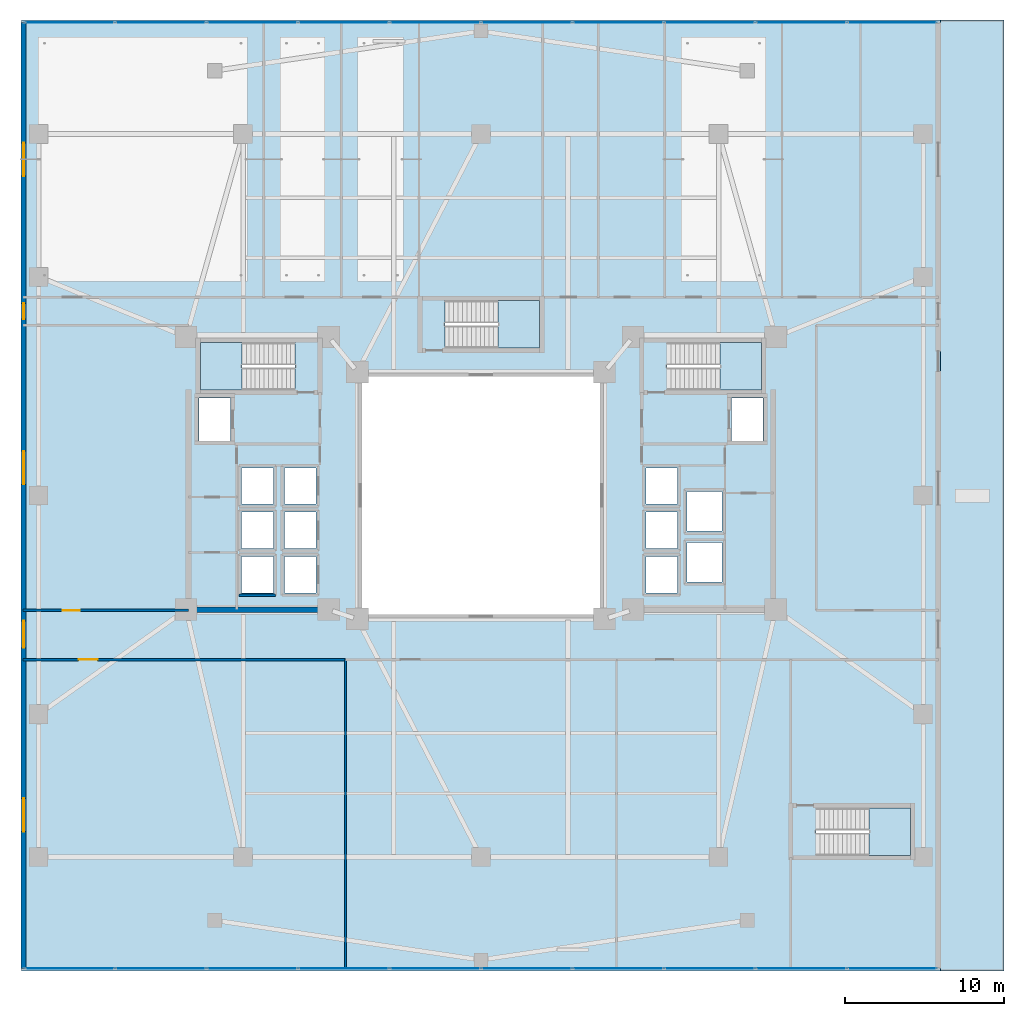
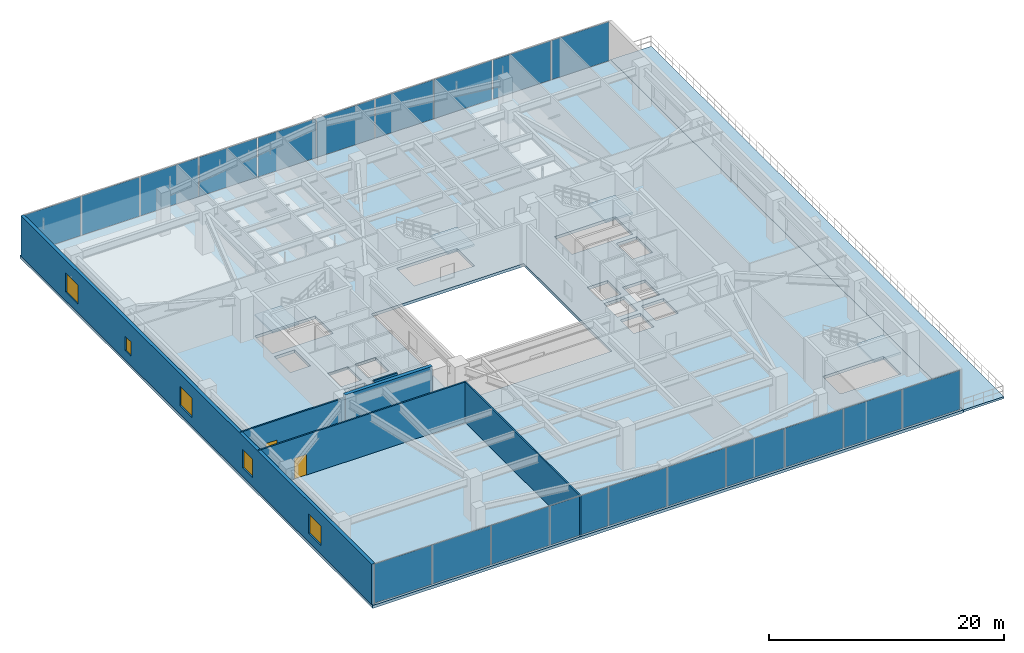
# One storey, part 16 of 27: 20 plates, 6 slabs, 6 walls, 5 windows, 2 doors, 7 openings, 6 elements without a shape of their own.
"""IFC4 building model written with IfcOpenShell, lengths in metres."""

from ifc_helpers import new_model, si_unit, direction, frame, frame_2d, origin, origin_2d, place, context, subcontext, project, spatial, polyline, rectangle, outline, extrude, material, layer, layer_set, type_object, element, fill, aggregate, save


model = new_model("IFC4")

# Units and contexts
model_context = context("Model", 3, precision=1e-05, world=origin(), true_north=direction((0.0, 1.0)))
body_context = subcontext(model_context, "Body", "Model", "MODEL_VIEW")
ifc_project = project(units=[si_unit("LENGTHUNIT", "METRE"), si_unit("AREAUNIT", "SQUARE_METRE"), si_unit("VOLUMEUNIT", "CUBIC_METRE"), si_unit("PLANEANGLEUNIT", "RADIAN"), si_unit("MASSUNIT", "GRAM", prefix="KILO")], contexts=[model_context])

# Site, building, storey
site_placement = place(None, origin())
site = spatial("IfcSite", under=ifc_project, at=site_placement, CompositionType="ELEMENT")
building_placement = place(site_placement, origin())
building = spatial("IfcBuilding", under=site, at=building_placement, Name="Tarnavaz Court Tower", CompositionType="ELEMENT")
storey_placement = place(building_placement, frame((0.0, 0.0, 9.89990234375)))
storey = spatial("IfcBuildingStorey", under=building, at=storey_placement, Name="L02", CompositionType="ELEMENT", Elevation=9.89990234375)

# Curtain wall, plates
ifc_material_1 = material(Name="Anodised Aluminium 6063-T6 and Solar Low-E Glazing", Category="aluminium")
ifc_layer_1 = layer(ifc_material_1, 0.18994140625)
ifc_layer_set_1 = layer_set([ifc_layer_1], Name="Anodised Aluminium 6063-T6 and Solar Low-E Glazing")
curtain_wall_type = type_object("IfcCurtainWallType", Name="CW-SYS-01", PredefinedType="NOTDEFINED", material=ifc_layer_set_1)
curtain_wall_1_placement = place(storey_placement, origin())
curtain_wall_1 = element("IfcCurtainWall", 1, at=curtain_wall_1_placement, inside=storey, type_object=curtain_wall_type, Name="L02 Clinic Podium Curtain Wall 1", PredefinedType="NOTDEFINED")
ifc_material_2 = material(Name="Double-Glazed Solar Low-E Glass", Category="glass")
ifc_layer_2 = layer(ifc_material_2, 0.028076171875)
ifc_layer_set_2 = layer_set([ifc_layer_2], Name="Double-Glazed Solar Low-E Glass")
plate_type = type_object("IfcPlateType", Name="CW-PAN-GLZ28", PredefinedType="CURTAIN_PANEL", material=ifc_layer_set_2)
plate_1_placement = place(storey_placement, frame((-25.94384765625, 29.85009765625, 0.06494140625), z_axis=(0.0, 0.0, 1.0), x_axis=(1.0, 0.0, 0.0)))
plate_1 = element("IfcPlate", 2, at=plate_1_placement, type_object=plate_type, Name="CW panel 1.1", PredefinedType="CURTAIN_PANEL", context=body_context, shape_type="SweptSolid", body=[
    extrude(rectangle(XDim=5.642578125, YDim=0.028076171875, at=origin_2d()), origin(), (0.0, 0.0, 1.0), 4.070068359375),
])
plate_2_placement = place(storey_placement, frame((-20.195068359375, 29.85009765625, 0.06494140625), z_axis=(0.0, 0.0, 1.0), x_axis=(1.0, 0.0, 0.0)))
plate_2 = element("IfcPlate", 3, at=plate_2_placement, type_object=plate_type, Name="CW panel 2.1", PredefinedType="CURTAIN_PANEL", context=body_context, shape_type="SweptSolid", body=[
    extrude(rectangle(XDim=5.68505859375, YDim=0.028076171875, at=origin_2d()), origin(), (0.0, 0.0, 1.0), 4.070068359375),
])
plate_3_placement = place(storey_placement, frame((-14.425048828125, 29.85009765625, 0.06494140625), z_axis=(0.0, 0.0, 1.0), x_axis=(1.0, 0.0, 0.0)))
plate_3 = element("IfcPlate", 4, at=plate_3_placement, type_object=plate_type, Name="CW panel 3.1", PredefinedType="CURTAIN_PANEL", context=body_context, shape_type="SweptSolid", body=[
    extrude(rectangle(XDim=5.68505859375, YDim=0.028076171875, at=origin_2d()), origin(), (0.0, 0.0, 1.0), 4.070068359375),
])
plate_4_placement = place(storey_placement, frame((-8.655029296875, 29.85009765625, 0.06494140625), z_axis=(0.0, 0.0, 1.0), x_axis=(1.0, 0.0, 0.0)))
plate_4 = element("IfcPlate", 5, at=plate_4_placement, type_object=plate_type, Name="CW panel 4.1", PredefinedType="CURTAIN_PANEL", context=body_context, shape_type="SweptSolid", body=[
    extrude(rectangle(XDim=5.68505859375, YDim=0.028076171875, at=origin_2d()), origin(), (0.0, 0.0, 1.0), 4.070068359375),
])
plate_5_placement = place(storey_placement, frame((-2.885009765625, 29.85009765625, 0.06494140625), z_axis=(0.0, 0.0, 1.0), x_axis=(1.0, 0.0, 0.0)))
plate_5 = element("IfcPlate", 6, at=plate_5_placement, type_object=plate_type, Name="CW panel 5.1", PredefinedType="CURTAIN_PANEL", context=body_context, shape_type="SweptSolid", body=[
    extrude(rectangle(XDim=5.68505859375, YDim=0.028076171875, at=origin_2d()), origin(), (0.0, 0.0, 1.0), 4.070068359375),
])
plate_6_placement = place(storey_placement, frame((2.885009765625, 29.85009765625, 0.06494140625), z_axis=(0.0, 0.0, 1.0), x_axis=(1.0, 0.0, 0.0)))
plate_6 = element("IfcPlate", 7, at=plate_6_placement, type_object=plate_type, Name="CW panel 6.1", PredefinedType="CURTAIN_PANEL", context=body_context, shape_type="SweptSolid", body=[
    extrude(rectangle(XDim=5.68505859375, YDim=0.028076171875, at=origin_2d()), origin(), (0.0, 0.0, 1.0), 4.070068359375),
])
plate_7_placement = place(storey_placement, frame((8.655029296875, 29.85009765625, 0.06494140625), z_axis=(0.0, 0.0, 1.0), x_axis=(1.0, 0.0, 0.0)))
plate_7 = element("IfcPlate", 8, at=plate_7_placement, type_object=plate_type, Name="CW panel 7.1", PredefinedType="CURTAIN_PANEL", context=body_context, shape_type="SweptSolid", body=[
    extrude(rectangle(XDim=5.68505859375, YDim=0.028076171875, at=origin_2d()), origin(), (0.0, 0.0, 1.0), 4.070068359375),
])
plate_8_placement = place(storey_placement, frame((14.425048828125, 29.85009765625, 0.06494140625), z_axis=(0.0, 0.0, 1.0), x_axis=(1.0, 0.0, 0.0)))
plate_8 = element("IfcPlate", 9, at=plate_8_placement, type_object=plate_type, Name="CW panel 8.1", PredefinedType="CURTAIN_PANEL", context=body_context, shape_type="SweptSolid", body=[
    extrude(rectangle(XDim=5.68505859375, YDim=0.028076171875, at=origin_2d()), origin(), (0.0, 0.0, 1.0), 4.070068359375),
])
plate_9_placement = place(storey_placement, frame((20.195068359375, 29.85009765625, 0.06494140625), z_axis=(0.0, 0.0, 1.0), x_axis=(1.0, 0.0, 0.0)))
plate_9 = element("IfcPlate", 10, at=plate_9_placement, type_object=plate_type, Name="CW panel 9.1", PredefinedType="CURTAIN_PANEL", context=body_context, shape_type="SweptSolid", body=[
    extrude(rectangle(XDim=5.68505859375, YDim=0.028076171875, at=origin_2d()), origin(), (0.0, 0.0, 1.0), 4.070068359375),
])
plate_10_placement = place(storey_placement, frame((25.94384765625, 29.85009765625, 0.06494140625), z_axis=(0.0, 0.0, 1.0), x_axis=(1.0, 0.0, 0.0)))
plate_10 = element("IfcPlate", 11, at=plate_10_placement, type_object=plate_type, Name="CW panel 10.1", PredefinedType="CURTAIN_PANEL", context=body_context, shape_type="SweptSolid", body=[
    extrude(rectangle(XDim=5.642578125, YDim=0.028076171875, at=origin_2d()), origin(), (0.0, 0.0, 1.0), 4.070068359375),
])
aggregate(curtain_wall_1, [plate_1, plate_2, plate_3, plate_4, plate_5, plate_6, plate_7, plate_8, plate_9, plate_10])

curtain_wall_2_placement = place(storey_placement, origin())
curtain_wall_2 = element("IfcCurtainWall", 12, at=curtain_wall_2_placement, inside=storey, type_object=curtain_wall_type, Name="L02 Clinic South Curtain Wall 3", PredefinedType="NOTDEFINED")
plate_11_placement = place(storey_placement, frame((25.94384765625, -29.85009765625, 0.06494140625), z_axis=(0.0, 0.0, 1.0), x_axis=(-1.0, 0.0, 0.0)))
plate_11 = element("IfcPlate", 13, at=plate_11_placement, type_object=plate_type, Name="CW panel 1.1", PredefinedType="CURTAIN_PANEL", context=body_context, shape_type="SweptSolid", body=[
    extrude(rectangle(XDim=5.642578125, YDim=0.028076171875, at=origin_2d()), origin(), (0.0, 0.0, 1.0), 4.070068359375),
])
plate_12_placement = place(storey_placement, frame((20.195068359375, -29.85009765625, 0.06494140625), z_axis=(0.0, 0.0, 1.0), x_axis=(-1.0, 0.0, 0.0)))
plate_12 = element("IfcPlate", 14, at=plate_12_placement, type_object=plate_type, Name="CW panel 2.1", PredefinedType="CURTAIN_PANEL", context=body_context, shape_type="SweptSolid", body=[
    extrude(rectangle(XDim=5.68505859375, YDim=0.028076171875, at=origin_2d()), origin(), (0.0, 0.0, 1.0), 4.070068359375),
])
plate_13_placement = place(storey_placement, frame((14.425048828125, -29.85009765625, 0.06494140625), z_axis=(0.0, 0.0, 1.0), x_axis=(-1.0, 0.0, 0.0)))
plate_13 = element("IfcPlate", 15, at=plate_13_placement, type_object=plate_type, Name="CW panel 3.1", PredefinedType="CURTAIN_PANEL", context=body_context, shape_type="SweptSolid", body=[
    extrude(rectangle(XDim=5.68505859375, YDim=0.028076171875, at=origin_2d()), origin(), (0.0, 0.0, 1.0), 4.070068359375),
])
plate_14_placement = place(storey_placement, frame((8.655029296875, -29.85009765625, 0.06494140625), z_axis=(0.0, 0.0, 1.0), x_axis=(-1.0, 0.0, 0.0)))
plate_14 = element("IfcPlate", 16, at=plate_14_placement, type_object=plate_type, Name="CW panel 4.1", PredefinedType="CURTAIN_PANEL", context=body_context, shape_type="SweptSolid", body=[
    extrude(rectangle(XDim=5.68505859375, YDim=0.028076171875, at=origin_2d()), origin(), (0.0, 0.0, 1.0), 4.070068359375),
])
plate_15_placement = place(storey_placement, frame((2.885009765625, -29.85009765625, 0.06494140625), z_axis=(0.0, 0.0, 1.0), x_axis=(-1.0, 0.0, 0.0)))
plate_15 = element("IfcPlate", 17, at=plate_15_placement, type_object=plate_type, Name="CW panel 5.1", PredefinedType="CURTAIN_PANEL", context=body_context, shape_type="SweptSolid", body=[
    extrude(rectangle(XDim=5.68505859375, YDim=0.028076171875, at=origin_2d()), origin(), (0.0, 0.0, 1.0), 4.070068359375),
])
plate_16_placement = place(storey_placement, frame((-2.885009765625, -29.85009765625, 0.06494140625), z_axis=(0.0, 0.0, 1.0), x_axis=(-1.0, 0.0, 0.0)))
plate_16 = element("IfcPlate", 18, at=plate_16_placement, type_object=plate_type, Name="CW panel 6.1", PredefinedType="CURTAIN_PANEL", context=body_context, shape_type="SweptSolid", body=[
    extrude(rectangle(XDim=5.68505859375, YDim=0.028076171875, at=origin_2d()), origin(), (0.0, 0.0, 1.0), 4.070068359375),
])
plate_17_placement = place(storey_placement, frame((-8.655029296875, -29.85009765625, 0.06494140625), z_axis=(0.0, 0.0, 1.0), x_axis=(-1.0, 0.0, 0.0)))
plate_17 = element("IfcPlate", 19, at=plate_17_placement, type_object=plate_type, Name="CW panel 7.1", PredefinedType="CURTAIN_PANEL", context=body_context, shape_type="SweptSolid", body=[
    extrude(rectangle(XDim=5.68505859375, YDim=0.028076171875, at=origin_2d()), origin(), (0.0, 0.0, 1.0), 4.070068359375),
])
plate_18_placement = place(storey_placement, frame((-14.425048828125, -29.85009765625, 0.06494140625), z_axis=(0.0, 0.0, 1.0), x_axis=(-1.0, 0.0, 0.0)))
plate_18 = element("IfcPlate", 20, at=plate_18_placement, type_object=plate_type, Name="CW panel 8.1", PredefinedType="CURTAIN_PANEL", context=body_context, shape_type="SweptSolid", body=[
    extrude(rectangle(XDim=5.68505859375, YDim=0.028076171875, at=origin_2d()), origin(), (0.0, 0.0, 1.0), 4.070068359375),
])
plate_19_placement = place(storey_placement, frame((-20.195068359375, -29.85009765625, 0.06494140625), z_axis=(0.0, 0.0, 1.0), x_axis=(-1.0, 0.0, 0.0)))
plate_19 = element("IfcPlate", 21, at=plate_19_placement, type_object=plate_type, Name="CW panel 9.1", PredefinedType="CURTAIN_PANEL", context=body_context, shape_type="SweptSolid", body=[
    extrude(rectangle(XDim=5.68505859375, YDim=0.028076171875, at=origin_2d()), origin(), (0.0, 0.0, 1.0), 4.070068359375),
])
plate_20_placement = place(storey_placement, frame((-25.94384765625, -29.85009765625, 0.06494140625), z_axis=(0.0, 0.0, 1.0), x_axis=(-1.0, 0.0, 0.0)))
plate_20 = element("IfcPlate", 22, at=plate_20_placement, type_object=plate_type, Name="CW panel 10.1", PredefinedType="CURTAIN_PANEL", context=body_context, shape_type="SweptSolid", body=[
    extrude(rectangle(XDim=5.642578125, YDim=0.028076171875, at=origin_2d()), origin(), (0.0, 0.0, 1.0), 4.070068359375),
])
aggregate(curtain_wall_2, [plate_11, plate_12, plate_13, plate_14, plate_15, plate_16, plate_17, plate_18, plate_19, plate_20])

# Stair, slab
ifc_material_3 = material(Name="Concrete C40/50", Category="concrete")
stair_type = type_object("IfcStairType", Name="ST-TWR-26R", PredefinedType="HALF_TURN_STAIR", material=ifc_material_3)
stair_1_placement = place(storey_placement, origin())
stair_1 = element("IfcStair", 23, at=stair_1_placement, inside=storey, type_object=stair_type, Name="L02 West Core Pressurized Exit Stair ST-W1", PredefinedType="HALF_TURN_STAIR")
ifc_layer_3 = layer(ifc_material_3, 0.199951171875)
ifc_layer_set_3 = layer_set([ifc_layer_3], Name="Concrete C40/50")
slab_type_1 = type_object("IfcSlabType", Name="SL-LAND-200", PredefinedType="LANDING", material=ifc_layer_set_3)
slab_1_placement = place(storey_placement, frame((0.0, 0.0, 2.050048828125)))
slab_1 = element("IfcSlab", 24, at=slab_1_placement, type_object=slab_type_1, Name="ST-W1 landing 1", PredefinedType="LANDING", context=body_context, shape_type="SweptSolid", body=[
    extrude(outline(polyline([(-15.080078125, 9.639892578125), (-17.699951171875, 9.639892578125), (-17.699951171875, 6.64990234375), (-15.080078125, 6.64990234375), (-15.080078125, 9.639892578125)])), origin(), (0.0, 0.0, 1.0), 0.199951171875),
])
aggregate(stair_1, [slab_1])

stair_2_placement = place(storey_placement, origin())
stair_2 = element("IfcStair", 25, at=stair_2_placement, inside=storey, type_object=stair_type, Name="L02 East Core Pressurized Exit Stair ST-E1", PredefinedType="HALF_TURN_STAIR")
slab_2_placement = place(storey_placement, frame((0.0, 0.0, 2.050048828125)))
slab_2 = element("IfcSlab", 26, at=slab_2_placement, type_object=slab_type_1, Name="ST-E1 landing 1", PredefinedType="LANDING", context=body_context, shape_type="SweptSolid", body=[
    extrude(outline(polyline([(15.080078125, 6.64990234375), (17.699951171875, 6.64990234375), (17.699951171875, 9.639892578125), (15.080078125, 9.639892578125), (15.080078125, 6.64990234375)])), origin(), (0.0, 0.0, 1.0), 0.199951171875),
])
aggregate(stair_2, [slab_2])

stair_3_placement = place(storey_placement, origin())
stair_3 = element("IfcStair", 27, at=stair_3_placement, inside=storey, type_object=stair_type, Name="L02 North Ring Pressurized Exit Stair ST-N1", PredefinedType="HALF_TURN_STAIR")
slab_3_placement = place(storey_placement, frame((0.0, 0.0, 2.050048828125)))
slab_3 = element("IfcSlab", 28, at=slab_3_placement, type_object=slab_type_1, Name="ST-N1 landing 1", PredefinedType="LANDING", context=body_context, shape_type="SweptSolid", body=[
    extrude(outline(polyline([(1.080078125, 9.300048828125), (3.699951171875, 9.300048828125), (3.699951171875, 12.2900390625), (1.080078125, 12.2900390625), (1.080078125, 9.300048828125)])), origin(), (0.0, 0.0, 1.0), 0.199951171875),
])
aggregate(stair_3, [slab_3])

stair_4_placement = place(storey_placement, origin())
stair_4 = element("IfcStair", 29, at=stair_4_placement, inside=storey, type_object=stair_type, Name="L02 Podium Clinic Exit Stair ST-P1", PredefinedType="HALF_TURN_STAIR")
slab_4_placement = place(storey_placement, frame((0.0, 0.0, 2.050048828125)))
slab_4 = element("IfcSlab", 30, at=slab_4_placement, type_object=slab_type_1, Name="ST-P1 landing 1", PredefinedType="LANDING", context=body_context, shape_type="SweptSolid", body=[
    extrude(outline(polyline([(24.47998046875, -22.699951171875), (27.10009765625, -22.699951171875), (27.10009765625, -19.7099609375), (24.47998046875, -19.7099609375), (24.47998046875, -22.699951171875)])), origin(), (0.0, 0.0, 1.0), 0.199951171875),
])
aggregate(stair_4, [slab_4])

# Slabs
ifc_layer_4 = layer(ifc_material_3, 0.300048828125)
ifc_layer_set_4 = layer_set([ifc_layer_4], Name="Concrete C40/50")
slab_type_2 = type_object("IfcSlabType", Name="SL-POD-300", PredefinedType="FLOOR", material=ifc_layer_set_4)
slab_5_placement = place(storey_placement, frame((0.0, 0.0, -0.2998046875)))
element("IfcSlab", 31, at=slab_5_placement, inside=storey, type_object=slab_type_2, Name="L02 Structural Floor Slab", PredefinedType="FLOOR", context=body_context, shape_type="SweptSolid", body=[
    extrude(outline(polyline([(-29.0, -30.0), (29.0, -30.0), (29.0, 30.0), (-29.0, 30.0), (-29.0, -30.0)]), holes=[polyline([(-7.5, -7.5), (7.5, -7.5), (7.5, 7.5), (-7.5, 7.5), (-7.5, -7.5)]), polyline([(-11.7451171875, 9.639892578125), (-17.699951171875, 9.639892578125), (-17.699951171875, 6.64990234375), (-11.7451171875, 6.64990234375), (-11.7451171875, 9.639892578125)]), polyline([(11.7451171875, 6.64990234375), (17.699951171875, 6.64990234375), (17.699951171875, 9.639892578125), (11.7451171875, 9.639892578125), (11.7451171875, 6.64990234375)]), polyline([(-2.2548828125, 9.300048828125), (3.699951171875, 9.300048828125), (3.699951171875, 12.2900390625), (-2.2548828125, 12.2900390625), (-2.2548828125, 9.300048828125)]), polyline([(21.14501953125, -22.699951171875), (27.10009765625, -22.699951171875), (27.10009765625, -19.7099609375), (21.14501953125, -19.7099609375), (21.14501953125, -22.699951171875)]), polyline([(-17.800048828125, 3.449951171875), (-15.800048828125, 3.449951171875), (-15.800048828125, 6.14990234375), (-17.800048828125, 6.14990234375), (-17.800048828125, 3.449951171875)]), polyline([(-12.39990234375, -6.14990234375), (-10.39990234375, -6.14990234375), (-10.39990234375, -3.85009765625), (-12.39990234375, -3.85009765625), (-12.39990234375, -6.14990234375)]), polyline([(-12.39990234375, -3.35009765625), (-10.39990234375, -3.35009765625), (-10.39990234375, -1.050048828125), (-12.39990234375, -1.050048828125), (-12.39990234375, -3.35009765625)]), polyline([(-12.39990234375, -0.550048828125), (-10.39990234375, -0.550048828125), (-10.39990234375, 1.75), (-12.39990234375, 1.75), (-12.39990234375, -0.550048828125)]), polyline([(-15.10009765625, -6.14990234375), (-13.10009765625, -6.14990234375), (-13.10009765625, -3.85009765625), (-15.10009765625, -3.85009765625), (-15.10009765625, -6.14990234375)]), polyline([(-15.10009765625, -3.35009765625), (-13.10009765625, -3.35009765625), (-13.10009765625, -1.050048828125), (-15.10009765625, -1.050048828125), (-15.10009765625, -3.35009765625)]), polyline([(-15.10009765625, -0.550048828125), (-13.10009765625, -0.550048828125), (-13.10009765625, 1.75), (-15.10009765625, 1.75), (-15.10009765625, -0.550048828125)]), polyline([(15.800048828125, 3.449951171875), (17.800048828125, 3.449951171875), (17.800048828125, 6.14990234375), (15.800048828125, 6.14990234375), (15.800048828125, 3.449951171875)]), polyline([(10.39990234375, -6.14990234375), (12.39990234375, -6.14990234375), (12.39990234375, -3.85009765625), (10.39990234375, -3.85009765625), (10.39990234375, -6.14990234375)]), polyline([(10.39990234375, -3.35009765625), (12.39990234375, -3.35009765625), (12.39990234375, -1.050048828125), (10.39990234375, -1.050048828125), (10.39990234375, -3.35009765625)]), polyline([(10.39990234375, -0.550048828125), (12.39990234375, -0.550048828125), (12.39990234375, 1.75), (10.39990234375, 1.75), (10.39990234375, -0.550048828125)]), polyline([(13.0, -5.449951171875), (15.199951171875, -5.449951171875), (15.199951171875, -2.949951171875), (13.0, -2.949951171875), (13.0, -5.449951171875)]), polyline([(13.0, -2.25), (15.199951171875, -2.25), (15.199951171875, 0.25), (13.0, 0.25), (13.0, -2.25)])]), origin(), (0.0, 0.0, 1.0), 0.2998046875),
])
ifc_layer_5 = layer(ifc_material_3, 0.219970703125)
ifc_layer_set_5 = layer_set([ifc_layer_5], Name="Concrete C40/50")
slab_type_3 = type_object("IfcSlabType", Name="SL-TERR-220", PredefinedType="FLOOR", material=ifc_layer_set_5)
slab_6_placement = place(storey_placement, frame((0.0, 0.0, -0.219970703125)))
element("IfcSlab", 32, at=slab_6_placement, inside=storey, type_object=slab_type_3, Name="L02 East Chahar-Bagh Clinic Terrace", PredefinedType="FLOOR", context=body_context, shape_type="SweptSolid", body=[
    extrude(outline(polyline([(29.0, -30.0), (33.0, -30.0), (33.0, 30.0), (29.0, 30.0), (29.0, -30.0)])), origin(), (0.0, 0.0, 1.0), 0.219970703125),
])

# Wall
ifc_material_4 = material(Name="Concrete C60/75", Category="concrete")
ifc_layer_6 = layer(ifc_material_4, 0.35009765625)
ifc_layer_set_6 = layer_set([ifc_layer_6], Name="Concrete C60/75")
wall_type_1 = type_object("IfcWallType", Name="WL-CORE-350-C60", PredefinedType="SHEAR", material=ifc_layer_set_6)
wall_1_placement = place(storey_placement, frame((-18.625, -7.199951171875, 0.0), z_axis=(0.0, 0.0, 1.0), x_axis=(1.0, 0.0, 0.0)))
element("IfcWall", 33, at=wall_1_placement, inside=storey, type_object=wall_type_1, Name="L02 West Core South Shear Wall 074", PredefinedType="SHEAR", context=body_context, shape_type="SweptSolid", body=[
    extrude(rectangle(XDim=8.550048828125, YDim=0.35009765625, at=frame_2d((4.27490234375, 0.0))), origin(), (0.0, 0.0, 1.0), 4.5),
])

# Wall, openings, windows
ifc_material_5 = material(Name="Precast Concrete C40/50", Category="concrete")
ifc_layer_7 = layer(ifc_material_5, 0.320068359375)
ifc_layer_set_7 = layer_set([ifc_layer_7], Name="Precast Concrete C40/50")
wall_type_2 = type_object("IfcWallType", Name="WL-EXT-320", PredefinedType="SOLIDWALL", material=ifc_layer_set_7)
wall_2_placement = place(storey_placement, frame((-28.85009765625, -29.85009765625, 0.0), z_axis=(0.0, 0.0, 1.0), x_axis=(0.0, 1.0, 0.0)))
wall_2 = element("IfcWall", 34, at=wall_2_placement, inside=storey, type_object=wall_type_2, Name="L02 Exterior Terracotta Facade Wall 04", PredefinedType="SOLIDWALL", context=body_context, shape_type="SweptSolid", body=[
    extrude(rectangle(XDim=59.7001953125, YDim=0.320068359375, at=frame_2d((29.85009765625, 0.0))), origin(), (0.0, 0.0, 1.0), 4.2001953125),
])
opening_1_placement = place(wall_2_placement, frame((8.64990234375, 0.0, 0.89990234375)))
opening_1 = element("IfcOpeningElement", 35, at=opening_1_placement, cuts=wall_2, Name="Opening W09", PredefinedType="OPENING", context=body_context, shape_type="SweptSolid", body=[
    extrude(rectangle(XDim=2.10009765625, YDim=2.0, at=frame_2d((1.050048828125, 1.0))), frame((0.0, 0.169921875, 0.0), z_axis=(0.0, -1.0, 0.0), x_axis=(1.0, 0.0, 0.0)), (0.0, 0.0, 1.0), 0.340087890625),
])
opening_2_placement = place(wall_2_placement, frame((20.242431640625, 0.0, 0.89990234375)))
opening_2 = element("IfcOpeningElement", 36, at=opening_2_placement, cuts=wall_2, Name="Opening W10", PredefinedType="OPENING", context=body_context, shape_type="SweptSolid", body=[
    extrude(rectangle(XDim=1.699951171875, YDim=1.89990234375, at=frame_2d((0.85009765625, 0.949951171875))), frame((0.0, 0.169921875, 0.0), z_axis=(0.0, -1.0, 0.0), x_axis=(1.0, 0.0, 0.0)), (0.0, 0.0, 1.0), 0.340087890625),
])
opening_3_placement = place(wall_2_placement, frame((30.550048828125, 0.0, 0.89990234375)))
opening_3 = element("IfcOpeningElement", 37, at=opening_3_placement, cuts=wall_2, Name="Opening W09", PredefinedType="OPENING", context=body_context, shape_type="SweptSolid", body=[
    extrude(rectangle(XDim=2.10009765625, YDim=2.0, at=frame_2d((1.050048828125, 1.0))), frame((0.0, 0.169921875, 0.0), z_axis=(0.0, -1.0, 0.0), x_axis=(1.0, 0.0, 0.0)), (0.0, 0.0, 1.0), 0.340087890625),
])
opening_4_placement = place(wall_2_placement, frame((40.97509765625, 0.0, 0.949951171875)))
opening_4 = element("IfcOpeningElement", 38, at=opening_4_placement, cuts=wall_2, Name="Opening W14", PredefinedType="OPENING", context=body_context, shape_type="SweptSolid", body=[
    extrude(rectangle(XDim=1.0, YDim=1.5, at=frame_2d((0.5, 0.75))), frame((0.0, 0.169921875, 0.0), z_axis=(0.0, -1.0, 0.0), x_axis=(1.0, 0.0, 0.0)), (0.0, 0.0, 1.0), 0.340087890625),
])
opening_5_placement = place(wall_2_placement, frame((50.0, 0.0, 0.89990234375)))
opening_5 = element("IfcOpeningElement", 39, at=opening_5_placement, cuts=wall_2, Name="Opening W09", PredefinedType="OPENING", context=body_context, shape_type="SweptSolid", body=[
    extrude(rectangle(XDim=2.10009765625, YDim=2.0, at=frame_2d((1.050048828125, 1.0))), frame((0.0, 0.169921875, 0.0), z_axis=(0.0, -1.0, 0.0), x_axis=(1.0, 0.0, 0.0)), (0.0, 0.0, 1.0), 0.340087890625),
])
window_type_1 = type_object("IfcWindowType", Name="WN-APT-1000", PartitioningType="SINGLE_PANEL", PredefinedType="WINDOW", material=ifc_material_2)
window_1_placement = place(opening_4_placement, origin())
window_1 = element("IfcWindow", 40, at=window_1_placement, inside=storey, type_object=window_type_1, Name="L02 North-West Wing Corridor Window", OverallHeight=1.5, OverallWidth=1.0, PartitioningType="SINGLE_PANEL", PredefinedType="WINDOW", context=body_context, shape_type="SweptSolid", body=[
    extrude(rectangle(XDim=1.0, YDim=1.5, at=frame_2d((0.5, 0.75))), frame((0.0, 0.030029296875, 0.0), z_axis=(0.0, -1.0, 0.0), x_axis=(1.0, 0.0, 0.0)), (0.0, 0.0, 1.0), 0.06005859375),
])
fill(opening_4, window_1)
window_type_2 = type_object("IfcWindowType", Name="WN-CLN-1700", PartitioningType="DOUBLE_PANEL_VERTICAL", PredefinedType="WINDOW", material=ifc_material_2)
window_2_placement = place(opening_2_placement, origin())
window_2 = element("IfcWindow", 41, at=window_2_placement, inside=storey, type_object=window_type_2, Name="L02 South-West Wing Corridor Window", OverallHeight=1.89990234375, OverallWidth=1.699951171875, PartitioningType="SINGLE_PANEL", PredefinedType="WINDOW", context=body_context, shape_type="SweptSolid", body=[
    extrude(rectangle(XDim=1.699951171875, YDim=1.89990234375, at=frame_2d((0.85009765625, 0.949951171875))), frame((0.0, 0.030029296875, 0.0), z_axis=(0.0, -1.0, 0.0), x_axis=(1.0, 0.0, 0.0)), (0.0, 0.0, 1.0), 0.06005859375),
])
fill(opening_2, window_2)
window_type_3 = type_object("IfcWindowType", Name="WN-CLN-2100", PartitioningType="DOUBLE_PANEL_VERTICAL", PredefinedType="WINDOW", material=ifc_material_2)
window_3_placement = place(opening_1_placement, origin())
window_3 = element("IfcWindow", 42, at=window_3_placement, inside=storey, type_object=window_type_3, Name="L02 L02 West Terrace Waiting Lounge Window", OverallHeight=2.0, OverallWidth=2.10009765625, PartitioningType="SINGLE_PANEL", PredefinedType="WINDOW", context=body_context, shape_type="SweptSolid", body=[
    extrude(rectangle(XDim=2.10009765625, YDim=2.0, at=frame_2d((1.050048828125, 1.0))), frame((0.0, 0.030029296875, 0.0), z_axis=(0.0, -1.0, 0.0), x_axis=(1.0, 0.0, 0.0)), (0.0, 0.0, 1.0), 0.06005859375),
])
fill(opening_1, window_3)
window_4_placement = place(opening_3_placement, origin())
window_4 = element("IfcWindow", 43, at=window_4_placement, inside=storey, type_object=window_type_3, Name="L02 L02 West Chahar-Bagh Clinical Lounge Window", OverallHeight=2.0, OverallWidth=2.10009765625, PartitioningType="SINGLE_PANEL", PredefinedType="WINDOW", context=body_context, shape_type="SweptSolid", body=[
    extrude(rectangle(XDim=2.10009765625, YDim=2.0, at=frame_2d((1.050048828125, 1.0))), frame((0.0, 0.030029296875, 0.0), z_axis=(0.0, -1.0, 0.0), x_axis=(1.0, 0.0, 0.0)), (0.0, 0.0, 1.0), 0.06005859375),
])
fill(opening_3, window_4)
window_5_placement = place(opening_5_placement, origin())
window_5 = element("IfcWindow", 44, at=window_5_placement, inside=storey, type_object=window_type_3, Name="L02 Paediatric and Maternal Waiting Room Window", OverallHeight=2.0, OverallWidth=2.10009765625, PartitioningType="SINGLE_PANEL", PredefinedType="WINDOW", context=body_context, shape_type="SweptSolid", body=[
    extrude(rectangle(XDim=2.10009765625, YDim=2.0, at=frame_2d((1.050048828125, 1.0))), frame((0.0, 0.030029296875, 0.0), z_axis=(0.0, -1.0, 0.0), x_axis=(1.0, 0.0, 0.0)), (0.0, 0.0, 1.0), 0.06005859375),
])
fill(opening_5, window_5)

# Wall, opening, door
ifc_material_6 = material(Name="Gypsum Fire-Board on Acoustic Metal Stud", Category="masonry")
ifc_layer_8 = layer(ifc_material_6, 0.14990234375)
ifc_layer_set_8 = layer_set([ifc_layer_8], Name="Gypsum Fire-Board on Acoustic Metal Stud")
wall_type_3 = type_object("IfcWallType", Name="WL-FIRE-150", PredefinedType="PARTITIONING", material=ifc_layer_set_8)
wall_3_placement = place(storey_placement, frame((-28.8798828125, -10.35009765625, 0.0), z_axis=(0.0, 0.0, 1.0), x_axis=(1.0, 0.0, 0.0)))
wall_3 = element("IfcWall", 45, at=wall_3_placement, inside=storey, type_object=wall_type_3, Name="L02 SW Corridor Wall 089", PredefinedType="PARTITIONING", context=body_context, shape_type="SweptSolid", body=[
    extrude(rectangle(XDim=20.329833984375, YDim=0.14990234375, at=frame_2d((10.1650390625, 0.0))), origin(), (0.0, 0.0, 1.0), 4.2001953125),
])
opening_6_placement = place(wall_3_placement, frame((3.5, 0.0, 0.0)))
opening_6 = element("IfcOpeningElement", 46, at=opening_6_placement, cuts=wall_3, Name="Opening D11", PredefinedType="OPENING", context=body_context, shape_type="SweptSolid", body=[
    extrude(rectangle(XDim=1.199951171875, YDim=2.14990234375, at=frame_2d((0.60009765625, 1.074951171875))), frame((0.0, 0.0849609375, 0.0), z_axis=(0.0, -1.0, 0.0), x_axis=(1.0, 0.0, 0.0)), (0.0, 0.0, 1.0), 0.169921875),
])
ifc_material_7 = material(Name="Engineered Oak Timber", Category="wood")
door_type_1 = type_object("IfcDoorType", Name="DR-INT-1200", OperationType="NOTDEFINED", PredefinedType="DOOR", material=ifc_material_7)
door_1_placement = place(opening_6_placement, origin())
door_1 = element("IfcDoor", 47, at=door_1_placement, inside=storey, type_object=door_type_1, Name="L02 West Terrace Lounge Door", OperationType="SINGLE_SWING_LEFT", OverallHeight=2.14990234375, OverallWidth=1.199951171875, PredefinedType="DOOR", context=body_context, shape_type="SweptSolid", body=[
    extrude(rectangle(XDim=1.199951171875, YDim=2.14990234375, at=frame_2d((0.60009765625, 1.074951171875))), frame((0.0, 0.02490234375, 0.0), z_axis=(0.0, -1.0, 0.0), x_axis=(1.0, 0.0, 0.0)), (0.0, 0.0, 1.0), 0.050048828125),
])
fill(opening_6, door_1)

wall_4_placement = place(storey_placement, frame((-28.8798828125, -7.25, 0.0), z_axis=(0.0, 0.0, 1.0), x_axis=(1.0, 0.0, 0.0)))
wall_4 = element("IfcWall", 48, at=wall_4_placement, inside=storey, type_object=wall_type_3, Name="L02 Interior Partition 104", PredefinedType="PARTITIONING", context=body_context, shape_type="SweptSolid", body=[
    extrude(rectangle(XDim=10.429931640625, YDim=0.14990234375, at=frame_2d((5.21484375, 0.0))), origin(), (0.0, 0.0, 1.0), 4.2001953125),
])
opening_7_placement = place(wall_4_placement, frame((2.5, 0.0, 0.0)))
opening_7 = element("IfcOpeningElement", 49, at=opening_7_placement, cuts=wall_4, Name="Opening D12", PredefinedType="OPENING", context=body_context, shape_type="SweptSolid", body=[
    extrude(rectangle(XDim=1.080078125, YDim=2.14990234375, at=frame_2d((0.5400390625, 1.074951171875))), frame((0.0, 0.0849609375, 0.0), z_axis=(0.0, -1.0, 0.0), x_axis=(1.0, 0.0, 0.0)), (0.0, 0.0, 1.0), 0.169921875),
])
door_type_2 = type_object("IfcDoorType", Name="DR-INT-1100", OperationType="NOTDEFINED", PredefinedType="DOOR", material=ifc_material_7)
door_2_placement = place(opening_7_placement, origin())
door_2 = element("IfcDoor", 50, at=door_2_placement, inside=storey, type_object=door_type_2, Name="L02 West Clinical Lounge Door", OperationType="SINGLE_SWING_RIGHT", OverallHeight=2.14990234375, OverallWidth=1.080078125, PredefinedType="DOOR", context=body_context, shape_type="SweptSolid", body=[
    extrude(rectangle(XDim=1.080078125, YDim=2.14990234375, at=frame_2d((0.5400390625, 1.074951171875))), frame((0.0, 0.02490234375, 0.0), z_axis=(0.0, -1.0, 0.0), x_axis=(1.0, 0.0, 0.0)), (0.0, 0.0, 1.0), 0.050048828125),
])
fill(opening_7, door_2)

# Walls
ifc_material_8 = material(Name="Gypsum Plasterboard Acoustic Partition", Category="masonry")
ifc_layer_9 = layer(ifc_material_8, 0.139892578125)
ifc_layer_set_9 = layer_set([ifc_layer_9], Name="Gypsum Plasterboard Acoustic Partition")
wall_type_4 = type_object("IfcWallType", Name="WL-PART-150", PredefinedType="PARTITIONING", material=ifc_layer_set_9)
wall_5_placement = place(storey_placement, frame((-8.550048828125, -29.8798828125, 0.0), z_axis=(0.0, 0.0, 1.0), x_axis=(0.0, 1.0, 0.0)))
element("IfcWall", 51, at=wall_5_placement, inside=storey, type_object=wall_type_4, Name="L02 Interior Partition 100", PredefinedType="PARTITIONING", context=body_context, shape_type="SweptSolid", body=[
    extrude(rectangle(XDim=19.52978515625, YDim=0.139892578125, at=frame_2d((9.764892578125, 0.0))), origin(), (0.0, 0.0, 1.0), 4.2001953125),
])
ifc_material_9 = material(Name="Autoclaved Aerated Concrete Blockwork", Category="masonry")
ifc_layer_10 = layer(ifc_material_9, 0.159912109375)
ifc_layer_set_10 = layer_set([ifc_layer_10], Name="Autoclaved Aerated Concrete Blockwork")
wall_type_5 = type_object("IfcWallType", Name="WL-SHAFT-150", PredefinedType="SOLIDWALL", material=ifc_layer_set_10)
wall_6_placement = place(storey_placement, frame((-15.25, -6.300048828125, 0.0), z_axis=(0.0, 0.0, 1.0), x_axis=(1.0, 0.0, 0.0)))
element("IfcWall", 52, at=wall_6_placement, inside=storey, type_object=wall_type_5, Name="L02 Lift PL-H1 Shaft Wall 039", PredefinedType="SOLIDWALL", context=body_context, shape_type="SweptSolid", body=[
    extrude(rectangle(XDim=2.300048828125, YDim=0.159912109375, at=frame_2d((1.14990234375, 0.0))), origin(), (0.0, 0.0, 1.0), 4.2001953125),
])

save(model, "model.ifc")
